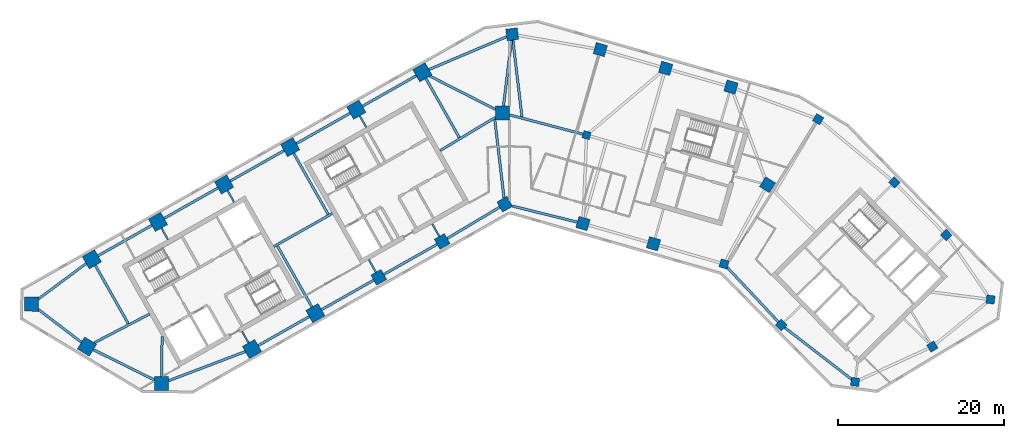
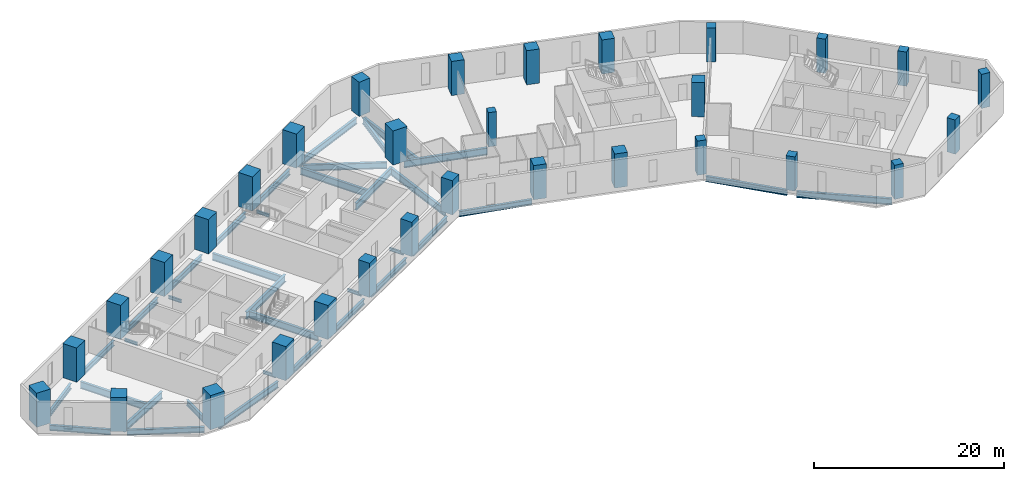
# One storey, part 1 of 10: 36 beams, 31 columns.
"""IFC4 building model written with IfcOpenShell, lengths in metres."""

from ifc_helpers import new_model, si_unit, direction, frame, origin, origin_2d, place, context, subcontext, project, spatial, rectangle, i_section, extrude, material, material_profile, profile_set, type_object, element, save


model = new_model("IFC4")

# Units and contexts
model_context = context("Model", 3, precision=1e-05, world=origin(), true_north=direction((0.0, 1.0)))
body_context = subcontext(model_context, "Body", "Model", "MODEL_VIEW")
ifc_project = project(units=[si_unit("LENGTHUNIT", "METRE"), si_unit("AREAUNIT", "SQUARE_METRE"), si_unit("VOLUMEUNIT", "CUBIC_METRE"), si_unit("PLANEANGLEUNIT", "RADIAN"), si_unit("MASSUNIT", "GRAM", prefix="KILO")], contexts=[model_context])

# Site, building, storey
site_placement = place(None, origin())
site = spatial("IfcSite", under=ifc_project, at=site_placement, CompositionType="ELEMENT")
building_placement = place(site_placement, origin())
building = spatial("IfcBuilding", under=site, at=building_placement, Name="Binnacle Exchange Tower", CompositionType="ELEMENT")
storey_placement = place(building_placement, frame((0.0, 0.0, 119.10009765625)))
storey = spatial("IfcBuildingStorey", under=building, at=storey_placement, Name="L24", CompositionType="ELEMENT", Elevation=119.10009765625)

# Columns
ifc_material_1 = material(Name="Concrete C60/75", Category="concrete")
ifc_material_profile_1 = material_profile(ifc_material_1, rectangle(XDim=0.89990234375, YDim=0.89990234375, at=origin_2d()), Name="Column 900x900 C60/75")
ifc_profile_set_1 = profile_set([ifc_material_profile_1], Name="Concrete C60/75")
column_type_1 = type_object("IfcColumnType", Name="Column 900x900 C60/75", PredefinedType="COLUMN", material=ifc_profile_set_1)
column_placement = place(storey_placement, frame((9.240966796875, 57.35009765625, 0.0), z_axis=(0.0, 0.0, 1.0), x_axis=(0.961261695938, -0.275637355817, 0.0)))
element("IfcColumn", 1, at=column_placement, inside=storey, type_object=column_type_1, Name="S:COL:C19:L24", PredefinedType="COLUMN", context=body_context, shape_type="SweptSolid", body=[
    extrude(rectangle(XDim=0.89990234375, YDim=0.89990234375, at=origin_2d()), origin(), (0.0, 0.0, 1.0), 4.39990234375),
])
ifc_material_2 = material(Name="Concrete C70/85", Category="concrete")
ifc_material_profile_2 = material_profile(ifc_material_2, rectangle(XDim=1.0, YDim=1.0, at=origin_2d()), Name="Mega column 1000x1000 C70/85")
ifc_profile_set_2 = profile_set([ifc_material_profile_2], Name="Concrete C70/85")
column_type_2 = type_object("IfcColumnType", Name="Mega column 1000x1000 C70/85", PredefinedType="COLUMN", material=ifc_profile_set_2)
for number, where, z_axis, x_axis, name in (
    (2, (37.0849609375, 59.262451171875, 0.0), (0.0, 0.0, 1.0), (-0.859406411501, 0.511293086077, 0.0), "S:COL:MC57:L24"),
    (3, (25.766845703125, 41.85986328125, 0.0), (0.0, 0.0, 1.0), (0.961261695938, -0.275637355817, 0.0), "S:COL:MC56:L24"),
    (4, (32.64111328125, 34.530029296875, 0.0), (0.0, 0.0, 1.0), (0.7009092643, -0.713250449154, 0.0), "S:COL:MC59:L24"),
    (5, (41.519775390625, 27.6748046875, 0.0), (0.0, 0.0, 1.0), (0.99200494968, -0.126198969136, 0.0), "S:COL:MC61:L24"),
    (6, (50.81201171875, 31.930908203125, 0.0), (0.0, 0.0, 1.0), (0.857167300702, 0.51503807491, 0.0), "S:COL:MC63:L24"),
    (7, (57.799072265625, 37.5810546875, 0.0), (0.0, 0.0, 1.0), (0.126198969136, 0.99200494968, 0.0), "S:COL:MC62:L24"),
    (8, (52.466796875, 45.33935546875, 0.0), (0.0, 0.0, 1.0), (-0.7009092643, 0.713250449154, 0.0), "S:COL:MC60:L24"),
    (9, (46.248291015625, 51.667236328125, 0.0), (0.0, 0.0, 1.0), (-0.7009092643, 0.713250449154, 0.0), "S:COL:MC58:L24"),
):
    element("IfcColumn", number, at=place(storey_placement, frame(where, z_axis=z_axis, x_axis=x_axis)), inside=storey, type_object=column_type_2, Name=name, PredefinedType="COLUMN", context=body_context, shape_type="SweptSolid", body=[
        extrude(rectangle(XDim=1.0, YDim=1.0, at=origin_2d()), origin(), (0.0, 0.0, 1.0), 4.39990234375),
    ])
ifc_material_profile_3 = material_profile(ifc_material_2, rectangle(XDim=1.39990234375, YDim=1.39990234375, at=origin_2d()), Name="Mega column 1400x1400 C70/85")
ifc_profile_set_3 = profile_set([ifc_material_profile_3], Name="Concrete C70/85")
column_type_3 = type_object("IfcColumnType", Name="Mega column 1400x1400 C70/85", PredefinedType="COLUMN", material=ifc_profile_set_3)
for number, where, z_axis, x_axis, name in (
    (10, (26.602783203125, 63.12353515625, 0.0), (0.0, 0.0, 1.0), (-0.961261695938, 0.275637355817, 0.0), "S:COL:MC52:L24"),
    (11, (18.746337890625, 65.376220703125, 0.0), (0.0, 0.0, 1.0), (-0.961261695938, 0.275637355817, 0.0), "S:COL:MC50:L24"),
    (12, (10.889892578125, 67.62890625, 0.0), (0.0, 0.0, 1.0), (-0.961261695938, 0.275637355817, 0.0), "S:COL:MC48:L24"),
    (13, (0.300048828125, 69.464111328125, 0.0), (0.0, 0.0, 1.0), (-0.993068456955, -0.117537397458, 0.0), "S:COL:MC47:L24"),
    (14, (-15.736328125, 40.257080078125, 0.0), (0.0, 0.0, 1.0), (0.87035569594, 0.492423560103, 0.0), "S:COL:MC24:L24"),
    (15, (-8.116943359375, 44.568115234375, 0.0), (0.0, 0.0, 1.0), (0.87035569594, 0.492423560103, 0.0), "S:COL:MC35:L24"),
    (16, (-0.5908203125, 49.04443359375, 0.0), (0.0, 0.0, 1.0), (0.87035569594, 0.492423560103, 0.0), "S:COL:MC46:L24"),
    (17, (8.8095703125, 46.722412109375, 0.0), (0.0, 0.0, 1.0), (0.961261695938, -0.275637355817, 0.0), "S:COL:MC49:L24"),
    (18, (17.2880859375, 44.291015625, 0.0), (0.0, 0.0, 1.0), (0.961261695938, -0.275637355817, 0.0), "S:COL:MC51:L24"),
    (19, (30.989501953125, 51.38623046875, 0.0), (0.0, 0.0, 1.0), (0.529919264233, 0.848048096156, 0.0), "S:COL:MC55:L24"),
):
    element("IfcColumn", number, at=place(storey_placement, frame(where, z_axis=z_axis, x_axis=x_axis)), inside=storey, type_object=column_type_3, Name=name, PredefinedType="COLUMN", context=body_context, shape_type="SweptSolid", body=[
        extrude(rectangle(XDim=1.39990234375, YDim=1.39990234375, at=origin_2d()), origin(), (0.0, 0.0, 1.0), 4.39990234375),
    ])
ifc_material_profile_4 = material_profile(ifc_material_2, rectangle(XDim=1.699951171875, YDim=1.699951171875, at=origin_2d()), Name="Mega column 1700x1700 C70/85")
ifc_profile_set_4 = profile_set([ifc_material_profile_4], Name="Concrete C70/85")
column_type_4 = type_object("IfcColumnType", Name="Mega column 1700x1700 C70/85", PredefinedType="COLUMN", material=ifc_profile_set_4)
for number, where, z_axis, x_axis, name in (
    (20, (-10.4951171875, 64.901611328125, 0.0), (0.0, 0.0, 1.0), (-0.87035569594, -0.492423560103, 0.0), "S:COL:MC38:L24"),
    (21, (-18.44140625, 60.406005859375, 0.0), (0.0, 0.0, 1.0), (-0.87035569594, -0.492423560103, 0.0), "S:COL:MC29:L24"),
    (22, (-26.3876953125, 55.91015625, 0.0), (0.0, 0.0, 1.0), (-0.87035569594, -0.492423560103, 0.0), "S:COL:MC21:L24"),
    (23, (-34.333740234375, 51.414306640625, 0.0), (0.0, 0.0, 1.0), (-0.87035569594, -0.492423560103, 0.0), "S:COL:MC13:L24"),
    (24, (-42.280029296875, 46.918701171875, 0.0), (0.0, 0.0, 1.0), (-0.87035569594, -0.492423560103, 0.0), "S:COL:MC08:L24"),
    (25, (-50.226318359375, 42.4228515625, 0.0), (0.0, 0.0, 1.0), (-0.87035569594, -0.492423560103, 0.0), "S:COL:MC04:L24"),
    (26, (-57.492919921875, 37.02734375, 0.0), (0.0, 0.0, 1.0), (-0.013089595571, -0.999914327574, 0.0), "S:COL:MC02:L24"),
    (27, (-50.81201171875, 31.930908203125, 0.0), (0.0, 0.0, 1.0), (0.857167300702, -0.51503807491, 0.0), "S:COL:MC01:L24"),
    (28, (-41.857666015625, 27.494873046875, 0.0), (0.0, 0.0, 1.0), (0.999914327574, -0.013089595571, 0.0), "S:COL:MC03:L24"),
    (29, (-30.9755859375, 31.63525390625, 0.0), (0.0, 0.0, 1.0), (0.87035569594, 0.492423560103, 0.0), "S:COL:MC07:L24"),
    (30, (-23.35595703125, 35.9462890625, 0.0), (0.0, 0.0, 1.0), (0.87035569594, 0.492423560103, 0.0), "S:COL:MC16:L24"),
    (31, (-0.85009765625, 60.0, 0.0), (0.0, 0.0, 1.0), (0.0, 1.0, 0.0), "S:COL:MC45:L24"),
):
    element("IfcColumn", number, at=place(storey_placement, frame(where, z_axis=z_axis, x_axis=x_axis)), inside=storey, type_object=column_type_4, Name=name, PredefinedType="COLUMN", context=body_context, shape_type="SweptSolid", body=[
        extrude(rectangle(XDim=1.699951171875, YDim=1.699951171875, at=origin_2d()), origin(), (0.0, 0.0, 1.0), 4.39990234375),
    ])

# Beams
ifc_material_3 = material(Name="Steel S355 (SHN355)", Category="steel")
ifc_material_profile_5 = material_profile(ifc_material_3, i_section(OverallWidth=0.300048828125, OverallDepth=0.699951171875, WebThickness=0.012939453125, FlangeThickness=0.02392578125, FilletRadius=0.028076171875, at=origin_2d()), Name="H 700x300x13x24")
ifc_profile_set_5 = profile_set([ifc_material_profile_5], Name="Steel S355 (SHN355)")
beam_type_1 = type_object("IfcBeamType", Name="Edge girder H 700x300x13x24 Steel S355 (SHN355)", PredefinedType="SPANDREL", material=ifc_profile_set_5)
beam_1_placement = place(storey_placement, frame((-56.6513671875, 36.38525390625, -0.670166015625), z_axis=(0.795093040263, -0.606487474994, 0.0), x_axis=(0.606487474994, 0.795093040263, 0.0)))
element("IfcBeam", 32, at=beam_1_placement, inside=storey, type_object=beam_type_1, Name="S:BM:edge:L24:015", PredefinedType="SPANDREL", context=body_context, shape_type="SweptSolid", body=[
    extrude(i_section(OverallWidth=0.300048828125, OverallDepth=0.699951171875, WebThickness=0.012939453125, FlangeThickness=0.02392578125, FilletRadius=0.028076171875, at=origin_2d()), origin(), (0.0, 0.0, 1.0), 6.489013671875),
])
beam_2_placement = place(storey_placement, frame((-50.913818359375, 41.912353515625, -0.670166015625), z_axis=(-0.80288535334, -0.59613346609, 0.0), x_axis=(0.59613346609, -0.80288535334, 0.0)))
element("IfcBeam", 33, at=beam_2_placement, inside=storey, type_object=beam_type_1, Name="S:BM:edge:L24:016", PredefinedType="SPANDREL", context=body_context, shape_type="SweptSolid", body=[
    extrude(i_section(OverallWidth=0.300048828125, OverallDepth=0.699951171875, WebThickness=0.012939453125, FlangeThickness=0.02392578125, FilletRadius=0.028076171875, at=origin_2d()), origin(), (0.0, 0.0, 1.0), 7.125244140625),
])
beam_3_placement = place(storey_placement, frame((-43.019775390625, 46.5, -0.670166015625), z_axis=(-0.870364477798, -0.492408037898, 0.0), x_axis=(0.492408037898, -0.870364477798, 0.0)))
element("IfcBeam", 34, at=beam_3_placement, inside=storey, type_object=beam_type_1, Name="S:BM:edge:L24:018", PredefinedType="SPANDREL", context=body_context, shape_type="SweptSolid", body=[
    extrude(i_section(OverallWidth=0.300048828125, OverallDepth=0.699951171875, WebThickness=0.012939453125, FlangeThickness=0.02392578125, FilletRadius=0.028076171875, at=origin_2d()), origin(), (0.0, 0.0, 1.0), 7.4296875),
])
beam_4_placement = place(storey_placement, frame((-35.073486328125, 50.995849609375, -0.670166015625), z_axis=(-0.870372444894, -0.492393955253, 0.0), x_axis=(0.492393955253, -0.870372444894, 0.0)))
element("IfcBeam", 35, at=beam_4_placement, inside=storey, type_object=beam_type_1, Name="S:BM:edge:L24:020", PredefinedType="SPANDREL", context=body_context, shape_type="SweptSolid", body=[
    extrude(i_section(OverallWidth=0.300048828125, OverallDepth=0.699951171875, WebThickness=0.012939453125, FlangeThickness=0.02392578125, FilletRadius=0.028076171875, at=origin_2d()), origin(), (0.0, 0.0, 1.0), 7.429931640625),
])
beam_5_placement = place(storey_placement, frame((-30.23583984375, 32.053955078125, -0.670166015625), z_axis=(0.870373276953, 0.492392484473, 0.0), x_axis=(-0.492392484473, 0.870373276953, 0.0)))
element("IfcBeam", 36, at=beam_5_placement, inside=storey, type_object=beam_type_1, Name="S:BM:edge:L24:021", PredefinedType="SPANDREL", context=body_context, shape_type="SweptSolid", body=[
    extrude(i_section(OverallWidth=0.300048828125, OverallDepth=0.699951171875, WebThickness=0.012939453125, FlangeThickness=0.02392578125, FilletRadius=0.028076171875, at=origin_2d()), origin(), (0.0, 0.0, 1.0), 7.0546875),
])
beam_6_placement = place(storey_placement, frame((-27.12744140625, 55.49169921875, -0.670166015625), z_axis=(-0.870350394687, -0.492432929919, 0.0), x_axis=(0.492432929919, -0.870350394687, 0.0)))
element("IfcBeam", 37, at=beam_6_placement, inside=storey, type_object=beam_type_1, Name="S:BM:edge:L24:022", PredefinedType="SPANDREL", context=body_context, shape_type="SweptSolid", body=[
    extrude(i_section(OverallWidth=0.300048828125, OverallDepth=0.699951171875, WebThickness=0.012939453125, FlangeThickness=0.02392578125, FilletRadius=0.028076171875, at=origin_2d()), origin(), (0.0, 0.0, 1.0), 7.429931640625),
])
beam_7_placement = place(storey_placement, frame((-22.6162109375, 36.36474609375, -0.670166015625), z_axis=(0.870345646157, 0.492441322612, 0.0), x_axis=(-0.492441322612, 0.870345646157, 0.0)))
element("IfcBeam", 38, at=beam_7_placement, inside=storey, type_object=beam_type_1, Name="S:BM:edge:L24:023", PredefinedType="SPANDREL", context=body_context, shape_type="SweptSolid", body=[
    extrude(i_section(OverallWidth=0.300048828125, OverallDepth=0.699951171875, WebThickness=0.012939453125, FlangeThickness=0.02392578125, FilletRadius=0.028076171875, at=origin_2d()), origin(), (0.0, 0.0, 1.0), 7.20458984375),
])
beam_8_placement = place(storey_placement, frame((-19.18115234375, 59.9873046875, -0.670166015625), z_axis=(-0.870364477798, -0.492408037898, 0.0), x_axis=(0.492408037898, -0.870364477798, 0.0)))
element("IfcBeam", 39, at=beam_8_placement, inside=storey, type_object=beam_type_1, Name="S:BM:edge:L24:024", PredefinedType="SPANDREL", context=body_context, shape_type="SweptSolid", body=[
    extrude(i_section(OverallWidth=0.300048828125, OverallDepth=0.699951171875, WebThickness=0.012939453125, FlangeThickness=0.02392578125, FilletRadius=0.028076171875, at=origin_2d()), origin(), (0.0, 0.0, 1.0), 7.4296875),
])
beam_9_placement = place(storey_placement, frame((-15.127197265625, 40.601806640625, -0.670166015625), z_axis=(0.870355645737, 0.492423648837, 0.0), x_axis=(-0.492423648837, 0.870355645737, 0.0)))
element("IfcBeam", 40, at=beam_9_placement, inside=storey, type_object=beam_type_1, Name="S:BM:edge:L24:025", PredefinedType="SPANDREL", context=body_context, shape_type="SweptSolid", body=[
    extrude(i_section(OverallWidth=0.300048828125, OverallDepth=0.699951171875, WebThickness=0.012939453125, FlangeThickness=0.02392578125, FilletRadius=0.028076171875, at=origin_2d()), origin(), (0.0, 0.0, 1.0), 7.3544921875),
])
beam_10_placement = place(storey_placement, frame((-11.23486328125, 64.483154296875, -0.670166015625), z_axis=(-0.870364477798, -0.492408037898, 0.0), x_axis=(0.492408037898, -0.870364477798, 0.0)))
element("IfcBeam", 41, at=beam_10_placement, inside=storey, type_object=beam_type_1, Name="S:BM:edge:L24:026", PredefinedType="SPANDREL", context=body_context, shape_type="SweptSolid", body=[
    extrude(i_section(OverallWidth=0.300048828125, OverallDepth=0.699951171875, WebThickness=0.012939453125, FlangeThickness=0.02392578125, FilletRadius=0.028076171875, at=origin_2d()), origin(), (0.0, 0.0, 1.0), 7.4296875),
])
beam_11_placement = place(storey_placement, frame((-7.51513671875, 44.926025390625, -0.670166015625), z_axis=(0.859466137143, 0.511192682952, 0.0), x_axis=(-0.511192682952, 0.859466137143, 0.0)))
element("IfcBeam", 42, at=beam_11_placement, inside=storey, type_object=beam_type_1, Name="S:BM:edge:L24:027", PredefinedType="SPANDREL", context=body_context, shape_type="SweptSolid", body=[
    extrude(i_section(OverallWidth=0.300048828125, OverallDepth=0.699951171875, WebThickness=0.012939453125, FlangeThickness=0.02392578125, FilletRadius=0.028076171875, at=origin_2d()), origin(), (0.0, 0.0, 1.0), 7.356201171875),
])
beam_12_placement = place(storey_placement, frame((0.343994140625, 48.8134765625, -0.670166015625), z_axis=(0.970820959584, -0.239805472064, 0.0), x_axis=(0.239805472064, 0.970820959584, 0.0)))
element("IfcBeam", 43, at=beam_12_placement, inside=storey, type_object=beam_type_1, Name="S:BM:edge:L24:029", PredefinedType="SPANDREL", context=body_context, shape_type="SweptSolid", body=[
    extrude(i_section(OverallWidth=0.300048828125, OverallDepth=0.699951171875, WebThickness=0.012939453125, FlangeThickness=0.02392578125, FilletRadius=0.028076171875, at=origin_2d()), origin(), (0.0, 0.0, 1.0), 8.019287109375),
])
ifc_material_profile_6 = material_profile(ifc_material_3, i_section(OverallWidth=0.302001953125, OverallDepth=0.7080078125, WebThickness=0.014892578125, FlangeThickness=0.028076171875, FilletRadius=0.028076171875, at=origin_2d()), Name="H 708x302x15x28")
ifc_profile_set_6 = profile_set([ifc_material_profile_6], Name="Steel S355 (SHN355)")
beam_type_2 = type_object("IfcBeamType", Name="Edge girder H 708x302x15x28 Steel S355 (SHN355)", PredefinedType="SPANDREL", material=ifc_profile_set_6)
beam_13_placement = place(storey_placement, frame((-50.0478515625, 31.55224609375, -0.674072265625), z_axis=(0.896059216286, -0.443934545749, 0.0), x_axis=(0.443934545749, 0.896059216286, 0.0)))
element("IfcBeam", 44, at=beam_13_placement, inside=storey, type_object=beam_type_2, Name="S:BM:edge:L24:017", PredefinedType="SPANDREL", context=body_context, shape_type="SweptSolid", body=[
    extrude(i_section(OverallWidth=0.302001953125, OverallDepth=0.7080078125, WebThickness=0.014892578125, FlangeThickness=0.028076171875, FilletRadius=0.028076171875, at=origin_2d()), origin(), (0.0, 0.0, 1.0), 8.197509765625),
])
beam_14_placement = place(storey_placement, frame((26.165283203125, 41.43505859375, -0.674072265625), z_axis=(0.684076068391, -0.729410674898, 0.0), x_axis=(0.729410674898, 0.684076068391, 0.0)))
element("IfcBeam", 45, at=beam_14_placement, inside=storey, type_object=beam_type_2, Name="S:BM:edge:L24:035", PredefinedType="SPANDREL", context=body_context, shape_type="SweptSolid", body=[
    extrude(i_section(OverallWidth=0.302001953125, OverallDepth=0.7080078125, WebThickness=0.014892578125, FlangeThickness=0.028076171875, FilletRadius=0.028076171875, at=origin_2d()), origin(), (0.0, 0.0, 1.0), 8.966552734375),
])
ifc_material_profile_7 = material_profile(ifc_material_3, i_section(OverallWidth=0.302001953125, OverallDepth=0.80810546875, WebThickness=0.01611328125, FlangeThickness=0.030029296875, FilletRadius=0.028076171875, at=origin_2d()), Name="H 808x302x16x30")
ifc_profile_set_7 = profile_set([ifc_material_profile_7], Name="Steel S355 (SHN355)")
beam_type_3 = type_object("IfcBeamType", Name="Edge girder H 808x302x16x30 Steel S355 (SHN355)", PredefinedType="SPANDREL", material=ifc_profile_set_7)
beam_15_placement = place(storey_placement, frame((-41.00341796875, 27.81982421875, -0.72412109375), z_axis=(0.934628738252, 0.355624973297, 0.0), x_axis=(-0.355624973297, 0.934628738252, 0.0)))
element("IfcBeam", 46, at=beam_15_placement, inside=storey, type_object=beam_type_3, Name="S:BM:edge:L24:019", PredefinedType="SPANDREL", context=body_context, shape_type="SweptSolid", body=[
    extrude(i_section(OverallWidth=0.302001953125, OverallDepth=0.80810546875, WebThickness=0.01611328125, FlangeThickness=0.030029296875, FilletRadius=0.028076171875, at=origin_2d()), origin(), (0.0, 0.0, 1.0), 9.869384765625),
])
beam_16_placement = place(storey_placement, frame((-0.37109375, 69.180419921875, -0.72412109375), z_axis=(-0.921114465748, -0.389291845523, 0.0), x_axis=(0.389291845523, -0.921114465748, 0.0)))
element("IfcBeam", 47, at=beam_16_placement, inside=storey, type_object=beam_type_3, Name="S:BM:edge:L24:028", PredefinedType="SPANDREL", context=body_context, shape_type="SweptSolid", body=[
    extrude(i_section(OverallWidth=0.302001953125, OverallDepth=0.80810546875, WebThickness=0.01611328125, FlangeThickness=0.030029296875, FilletRadius=0.028076171875, at=origin_2d()), origin(), (0.0, 0.0, 1.0), 10.13525390625),
])
beam_17_placement = place(storey_placement, frame((33.040771484375, 34.2216796875, -0.72412109375), z_axis=(0.791519159984, -0.611144352324, 0.0), x_axis=(0.611144352324, 0.791519159984, 0.0)))
element("IfcBeam", 48, at=beam_17_placement, inside=storey, type_object=beam_type_3, Name="S:BM:edge:L24:036", PredefinedType="SPANDREL", context=body_context, shape_type="SweptSolid", body=[
    extrude(i_section(OverallWidth=0.302001953125, OverallDepth=0.80810546875, WebThickness=0.01611328125, FlangeThickness=0.030029296875, FilletRadius=0.028076171875, at=origin_2d()), origin(), (0.0, 0.0, 1.0), 10.13232421875),
])
ifc_material_profile_8 = material_profile(ifc_material_3, i_section(OverallWidth=0.199951171875, OverallDepth=0.39990234375, WebThickness=0.008056640625, FlangeThickness=0.012939453125, FilletRadius=0.01611328125, at=origin_2d()), Name="H 400x200x8x13")
ifc_profile_set_8 = profile_set([ifc_material_profile_8], Name="Steel S355 (SHN355)")
beam_type_4 = type_object("IfcBeamType", Name="Floor beam H 400x200x8x13 Steel S355 (SHN355)", PredefinedType="BEAM", material=ifc_profile_set_8)
beam_18_placement = place(storey_placement, frame((-41.861328125, 46.178955078125, -0.52001953125), z_axis=(0.492366981934, -0.870387703901, 0.0), x_axis=(0.870387703901, 0.492366981934, 0.0)))
element("IfcBeam", 49, at=beam_18_placement, inside=storey, type_object=beam_type_4, Name="S:BM:cross:L24:044", PredefinedType="BEAM", context=body_context, shape_type="SweptSolid", body=[
    extrude(i_section(OverallWidth=0.199951171875, OverallDepth=0.39990234375, WebThickness=0.008056640625, FlangeThickness=0.012939453125, FilletRadius=0.01611328125, at=origin_2d()), origin(), (0.0, 0.0, 1.0), 1.584228515625),
])
beam_19_placement = place(storey_placement, frame((-33.915283203125, 50.674560546875, -0.52001953125), z_axis=(0.492483715062, -0.870321659158, 0.0), x_axis=(0.870321659158, 0.492483715062, 0.0)))
element("IfcBeam", 50, at=beam_19_placement, inside=storey, type_object=beam_type_4, Name="S:BM:cross:L24:046", PredefinedType="BEAM", context=body_context, shape_type="SweptSolid", body=[
    extrude(i_section(OverallWidth=0.199951171875, OverallDepth=0.39990234375, WebThickness=0.008056640625, FlangeThickness=0.012939453125, FilletRadius=0.01611328125, at=origin_2d()), origin(), (0.0, 0.0, 1.0), 1.58447265625),
])
for number, where, z_axis, x_axis, name in (
    (51, (-31.394287109375, 32.375, -0.52001953125), (-0.492366981934, 0.870387703901, 0.0), (-0.870387703901, -0.492366981934, 0.0), "S:BM:cross:L24:047"),
    (52, (-18.022705078125, 59.666259765625, -0.52001953125), (0.492366981934, -0.870387703901, 0.0), (0.870387703901, 0.492366981934, 0.0), "S:BM:cross:L24:050"),
):
    element("IfcBeam", number, at=place(storey_placement, frame(where, z_axis=z_axis, x_axis=x_axis)), inside=storey, type_object=beam_type_4, Name=name, PredefinedType="BEAM", context=body_context, shape_type="SweptSolid", body=[
        extrude(i_section(OverallWidth=0.199951171875, OverallDepth=0.39990234375, WebThickness=0.008056640625, FlangeThickness=0.012939453125, FilletRadius=0.01611328125, at=origin_2d()), origin(), (0.0, 0.0, 1.0), 1.584228515625),
    ])
for number, where, z_axis, x_axis, name in (
    (53, (-16.0810546875, 40.866455078125, -0.52001953125), (-0.492405102951, 0.870366138236, 0.0), (-0.870366138236, -0.492405102951, 0.0), "S:BM:cross:L24:051"),
    (54, (-8.461669921875, 45.17724609375, -0.52001953125), (-0.492405102951, 0.870366138236, 0.0), (-0.870366138236, -0.492405102951, 0.0), "S:BM:cross:L24:053"),
):
    element("IfcBeam", number, at=place(storey_placement, frame(where, z_axis=z_axis, x_axis=x_axis)), inside=storey, type_object=beam_type_4, Name=name, PredefinedType="BEAM", context=body_context, shape_type="SweptSolid", body=[
        extrude(i_section(OverallWidth=0.199951171875, OverallDepth=0.39990234375, WebThickness=0.008056640625, FlangeThickness=0.012939453125, FilletRadius=0.01611328125, at=origin_2d()), origin(), (0.0, 0.0, 1.0), 1.734375),
    ])
ifc_material_profile_9 = material_profile(ifc_material_3, i_section(OverallWidth=0.300048828125, OverallDepth=0.699951171875, WebThickness=0.012939453125, FlangeThickness=0.02392578125, FilletRadius=0.028076171875, at=origin_2d()), Name="H 700x300x13x24")
ifc_profile_set_9 = profile_set([ifc_material_profile_9], Name="Steel S355 (SHN355)")
beam_type_5 = type_object("IfcBeamType", Name="Floor beam H 700x300x13x24 Steel S355 (SHN355)", PredefinedType="BEAM", material=ifc_profile_set_9)
beam_20_placement = place(storey_placement, frame((-41.8466796875, 28.3447265625, -0.670166015625), z_axis=(0.013120628196, 0.999913920853, 0.0), x_axis=(-0.999913920853, 0.013120628196, 0.0)))
element("IfcBeam", 55, at=beam_20_placement, inside=storey, type_object=beam_type_5, Name="S:BM:cross:L24:045", PredefinedType="BEAM", context=body_context, shape_type="SweptSolid", body=[
    extrude(i_section(OverallWidth=0.300048828125, OverallDepth=0.699951171875, WebThickness=0.012939453125, FlangeThickness=0.02392578125, FilletRadius=0.028076171875, at=origin_2d()), origin(), (0.0, 0.0, 1.0), 4.80078125),
])
ifc_material_profile_10 = material_profile(ifc_material_3, i_section(OverallWidth=0.300048828125, OverallDepth=0.89990234375, WebThickness=0.01611328125, FlangeThickness=0.028076171875, FilletRadius=0.028076171875, at=origin_2d()), Name="H 900x300x16x28")
ifc_profile_set_10 = profile_set([ifc_material_profile_10], Name="Steel S355 (SHN355)")
beam_type_6 = type_object("IfcBeamType", Name="Floor beam H 900x300x16x28 Steel S355 (SHN355)", PredefinedType="BEAM", material=ifc_profile_set_10)
beam_21_placement = place(storey_placement, frame((-49.8076171875, 41.68310546875, -0.77001953125), z_axis=(0.492423370769, -0.87035580306, 0.0), x_axis=(0.87035580306, 0.492423370769, 0.0)))
element("IfcBeam", 56, at=beam_21_placement, inside=storey, type_object=beam_type_6, Name="S:BM:cross:L24:043", PredefinedType="BEAM", context=body_context, shape_type="SweptSolid", body=[
    extrude(i_section(OverallWidth=0.300048828125, OverallDepth=0.89990234375, WebThickness=0.01611328125, FlangeThickness=0.028076171875, FilletRadius=0.028076171875, at=origin_2d()), origin(), (0.0, 0.0, 1.0), 8.041259765625),
])
beam_22_placement = place(storey_placement, frame((-10.076416015625, 64.161865234375, -0.77001953125), z_axis=(0.492410737926, -0.870362950254, 0.0), x_axis=(0.870362950254, 0.492410737926, 0.0)))
element("IfcBeam", 57, at=beam_22_placement, inside=storey, type_object=beam_type_6, Name="S:BM:cross:L24:052", PredefinedType="BEAM", context=body_context, shape_type="SweptSolid", body=[
    extrude(i_section(OverallWidth=0.300048828125, OverallDepth=0.89990234375, WebThickness=0.01611328125, FlangeThickness=0.028076171875, FilletRadius=0.028076171875, at=origin_2d()), origin(), (0.0, 0.0, 1.0), 8.16943359375),
])
ifc_material_profile_11 = material_profile(ifc_material_3, i_section(OverallWidth=0.302001953125, OverallDepth=0.912109375, WebThickness=0.01806640625, FlangeThickness=0.033935546875, FilletRadius=0.028076171875, at=origin_2d()), Name="H 912x302x18x34")
ifc_profile_set_11 = profile_set([ifc_material_profile_11], Name="Steel S355 (SHN355)")
beam_type_7 = type_object("IfcBeamType", Name="Floor beam H 912x302x18x34 Steel S355 (SHN355)", PredefinedType="BEAM", material=ifc_profile_set_11)
for number, where, z_axis, x_axis, name in (
    (58, (-25.968994140625, 55.17041015625, -0.776123046875), (0.492409177884, -0.870363832851, 0.0), (0.870363832851, 0.492409177884, 0.0), "S:BM:cross:L24:048"),
    (59, (-23.774658203125, 36.68603515625, -0.776123046875), (-0.492409177884, 0.870363832851, 0.0), (-0.870363832851, -0.492409177884, 0.0), "S:BM:cross:L24:049"),
):
    element("IfcBeam", number, at=place(storey_placement, frame(where, z_axis=z_axis, x_axis=x_axis)), inside=storey, type_object=beam_type_7, Name=name, PredefinedType="BEAM", context=body_context, shape_type="SweptSolid", body=[
        extrude(i_section(OverallWidth=0.302001953125, OverallDepth=0.912109375, WebThickness=0.01806640625, FlangeThickness=0.033935546875, FilletRadius=0.028076171875, at=origin_2d()), origin(), (0.0, 0.0, 1.0), 8.43408203125),
    ])
ifc_material_profile_12 = material_profile(ifc_material_3, i_section(OverallWidth=0.302978515625, OverallDepth=0.91796875, WebThickness=0.01904296875, FlangeThickness=0.037109375, FilletRadius=0.028076171875, at=origin_2d()), Name="H 918x303x19x37")
ifc_profile_set_12 = profile_set([ifc_material_profile_12], Name="Steel S355 (SHN355)")
beam_type_8 = type_object("IfcBeamType", Name="Floor beam H 918x303x19x37 Steel S355 (SHN355)", PredefinedType="BEAM", material=ifc_profile_set_12)
beam_23_placement = place(storey_placement, frame((-0.68017578125, 49.79833984375, -0.779052734375), z_axis=(-0.11752294526, 0.993070167379, 0.0), x_axis=(-0.993070167379, -0.11752294526, 0.0)))
element("IfcBeam", 60, at=beam_23_placement, inside=storey, type_object=beam_type_8, Name="S:BM:cross:L24:054", PredefinedType="BEAM", context=body_context, shape_type="SweptSolid", body=[
    extrude(i_section(OverallWidth=0.302978515625, OverallDepth=0.91796875, WebThickness=0.01904296875, FlangeThickness=0.037109375, FilletRadius=0.028076171875, at=origin_2d()), origin(), (0.0, 0.0, 1.0), 9.537353515625),
])
beam_24_placement = place(storey_placement, frame((0.38232421875, 68.76904296875, -0.779052734375), z_axis=(0.117557103339, -0.993066124412, 0.0), x_axis=(0.993066124412, 0.117557103339, 0.0)))
element("IfcBeam", 61, at=beam_24_placement, inside=storey, type_object=beam_type_8, Name="S:BM:cross:L24:055", PredefinedType="BEAM", context=body_context, shape_type="SweptSolid", body=[
    extrude(i_section(OverallWidth=0.302978515625, OverallDepth=0.91796875, WebThickness=0.01904296875, FlangeThickness=0.037109375, FilletRadius=0.028076171875, at=origin_2d()), origin(), (0.0, 0.0, 1.0), 9.2998046875),
])
ifc_material_profile_13 = material_profile(ifc_material_3, i_section(OverallWidth=0.302001953125, OverallDepth=0.7080078125, WebThickness=0.014892578125, FlangeThickness=0.028076171875, FilletRadius=0.028076171875, at=origin_2d()), Name="H 708x302x15x28")
ifc_profile_set_13 = profile_set([ifc_material_profile_13], Name="Steel S355 (SHN355)")
beam_type_9 = type_object("IfcBeamType", Name="Spine girder H 708x302x15x28 Steel S355 (SHN355)", PredefinedType="BEAM", material=ifc_profile_set_13)
beam_25_placement = place(storey_placement, frame((-0.74658203125, 60.85009765625, -0.674072265625), z_axis=(0.120612669289, 0.992699644408, 0.0), x_axis=(-0.992699644408, 0.120612669289, 0.0)))
element("IfcBeam", 62, at=beam_25_placement, inside=storey, type_object=beam_type_9, Name="S:BM:spine:L24:005", PredefinedType="BEAM", context=body_context, shape_type="SweptSolid", body=[
    extrude(i_section(OverallWidth=0.302001953125, OverallDepth=0.7080078125, WebThickness=0.014892578125, FlangeThickness=0.028076171875, FilletRadius=0.028076171875, at=origin_2d()), origin(), (0.0, 0.0, 1.0), 7.95703125),
])
ifc_material_profile_14 = material_profile(ifc_material_3, i_section(OverallWidth=0.302001953125, OverallDepth=0.80810546875, WebThickness=0.01611328125, FlangeThickness=0.030029296875, FilletRadius=0.028076171875, at=origin_2d()), Name="H 808x302x16x30")
ifc_profile_set_14 = profile_set([ifc_material_profile_14], Name="Steel S355 (SHN355)")
beam_type_10 = type_object("IfcBeamType", Name="Spine girder H 808x302x16x30 Steel S355 (SHN355)", PredefinedType="BEAM", material=ifc_profile_set_14)
beam_26_placement = place(storey_placement, frame((-1.699951171875, 60.431884765625, -0.72412109375), z_axis=(-0.891471296315, 0.45307717648, 0.0), x_axis=(-0.45307717648, -0.891471296315, 0.0)))
element("IfcBeam", 63, at=beam_26_placement, inside=storey, type_object=beam_type_10, Name="S:BM:spine:L24:004", PredefinedType="BEAM", context=body_context, shape_type="SweptSolid", body=[
    extrude(i_section(OverallWidth=0.302001953125, OverallDepth=0.80810546875, WebThickness=0.01611328125, FlangeThickness=0.030029296875, FilletRadius=0.028076171875, at=origin_2d()), origin(), (0.0, 0.0, 1.0), 8.845703125),
])
ifc_material_profile_15 = material_profile(ifc_material_3, i_section(OverallWidth=0.300048828125, OverallDepth=0.89990234375, WebThickness=0.01611328125, FlangeThickness=0.028076171875, FilletRadius=0.028076171875, at=origin_2d()), Name="H 900x300x16x28")
ifc_profile_set_15 = profile_set([ifc_material_profile_15], Name="Steel S355 (SHN355)")
beam_type_11 = type_object("IfcBeamType", Name="Spine girder H 900x300x16x28 Steel S355 (SHN355)", PredefinedType="BEAM", material=ifc_profile_set_15)
beam_27_placement = place(storey_placement, frame((-49.927734375, 32.391357421875, -0.77001953125), z_axis=(0.886979965344, 0.461807904954, 0.0), x_axis=(-0.461807904954, 0.886979965344, 0.0)))
element("IfcBeam", 64, at=beam_27_placement, inside=storey, type_object=beam_type_11, Name="S:BM:spine:L24:001", PredefinedType="BEAM", context=body_context, shape_type="SweptSolid", body=[
    extrude(i_section(OverallWidth=0.300048828125, OverallDepth=0.89990234375, WebThickness=0.01611328125, FlangeThickness=0.028076171875, FilletRadius=0.028076171875, at=origin_2d()), origin(), (0.0, 0.0, 1.0), 7.463623046875),
])
beam_28_placement = place(storey_placement, frame((-8.36328125, 55.489990234375, -0.77001953125), z_axis=(0.857393122678, 0.514662057261, 0.0), x_axis=(-0.514662057261, 0.857393122678, 0.0)))
element("IfcBeam", 65, at=beam_28_placement, inside=storey, type_object=beam_type_11, Name="S:BM:spine:L24:003", PredefinedType="BEAM", context=body_context, shape_type="SweptSolid", body=[
    extrude(i_section(OverallWidth=0.300048828125, OverallDepth=0.89990234375, WebThickness=0.01611328125, FlangeThickness=0.028076171875, FilletRadius=0.028076171875, at=origin_2d()), origin(), (0.0, 0.0, 1.0), 7.771728515625),
])
ifc_material_profile_16 = material_profile(ifc_material_3, i_section(OverallWidth=0.302001953125, OverallDepth=0.912109375, WebThickness=0.01806640625, FlangeThickness=0.033935546875, FilletRadius=0.028076171875, at=origin_2d()), Name="H 912x302x18x34")
ifc_profile_set_16 = profile_set([ifc_material_profile_16], Name="Steel S355 (SHN355)")
beam_type_12 = type_object("IfcBeamType", Name="Spine girder H 912x302x18x34 Steel S355 (SHN355)", PredefinedType="BEAM", material=ifc_profile_set_16)
beam_29_placement = place(storey_placement, frame((-28.365478515625, 43.951416015625, -0.776123046875), z_axis=(0.870350319004, 0.492433063684, 0.0), x_axis=(-0.492433063684, 0.870350319004, 0.0)))
element("IfcBeam", 66, at=beam_29_placement, inside=storey, type_object=beam_type_12, Name="S:BM:spine:L24:002", PredefinedType="BEAM", context=body_context, shape_type="SweptSolid", body=[
    extrude(i_section(OverallWidth=0.302001953125, OverallDepth=0.912109375, WebThickness=0.01806640625, FlangeThickness=0.033935546875, FilletRadius=0.028076171875, at=origin_2d()), origin(), (0.0, 0.0, 1.0), 8.0908203125),
])
ifc_material_profile_17 = material_profile(ifc_material_3, i_section(OverallWidth=0.302978515625, OverallDepth=0.91796875, WebThickness=0.01904296875, FlangeThickness=0.037109375, FilletRadius=0.028076171875, at=origin_2d()), Name="H 918x303x19x37")
ifc_profile_set_17 = profile_set([ifc_material_profile_17], Name="Steel S355 (SHN355)")
beam_type_13 = type_object("IfcBeamType", Name="Spine girder H 918x303x19x37 Steel S355 (SHN355)", PredefinedType="BEAM", material=ifc_profile_set_17)
beam_30_placement = place(storey_placement, frame((0.0, 59.77685546875, -0.779052734375), z_axis=(0.967208488002, -0.253983741089, 0.0), x_axis=(0.253983741089, 0.967208488002, 0.0)))
element("IfcBeam", 67, at=beam_30_placement, inside=storey, type_object=beam_type_13, Name="S:BM:spine:L24:006", PredefinedType="BEAM", context=body_context, shape_type="SweptSolid", body=[
    extrude(i_section(OverallWidth=0.302978515625, OverallDepth=0.91796875, WebThickness=0.01904296875, FlangeThickness=0.037109375, FilletRadius=0.028076171875, at=origin_2d()), origin(), (0.0, 0.0, 1.0), 9.10400390625),
])

save(model, "model.ifc")
